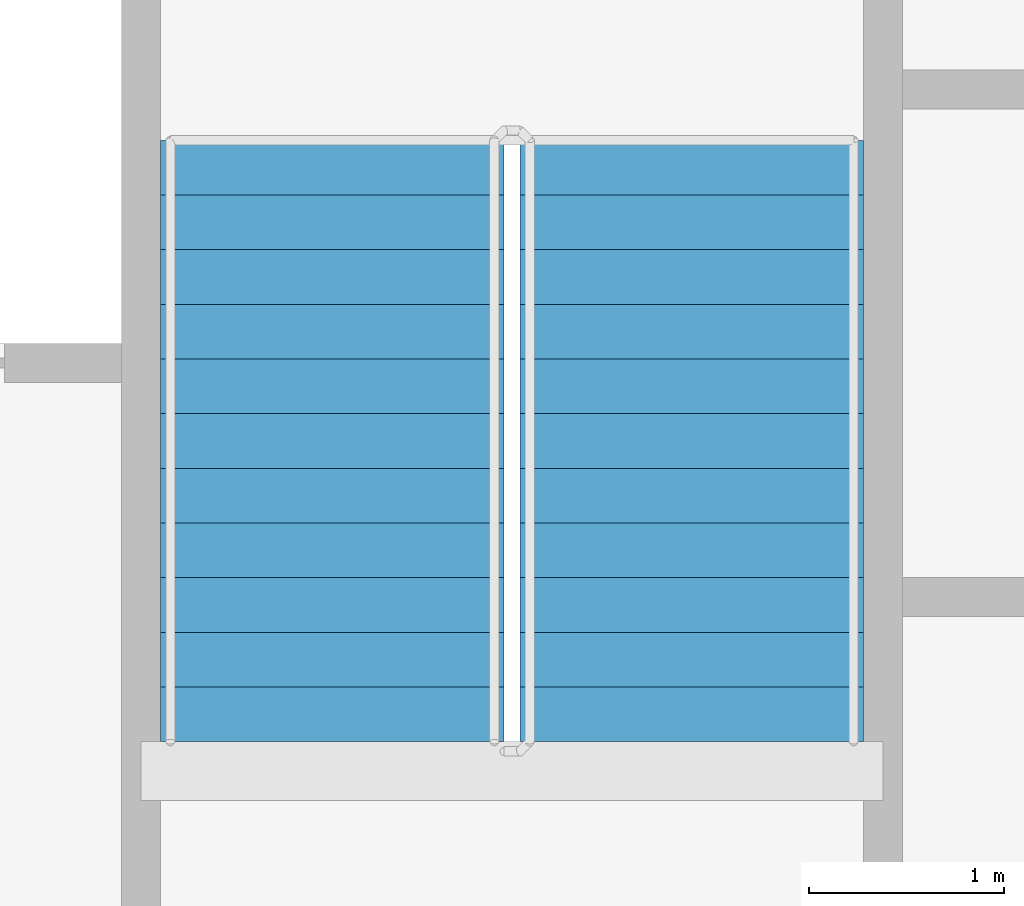
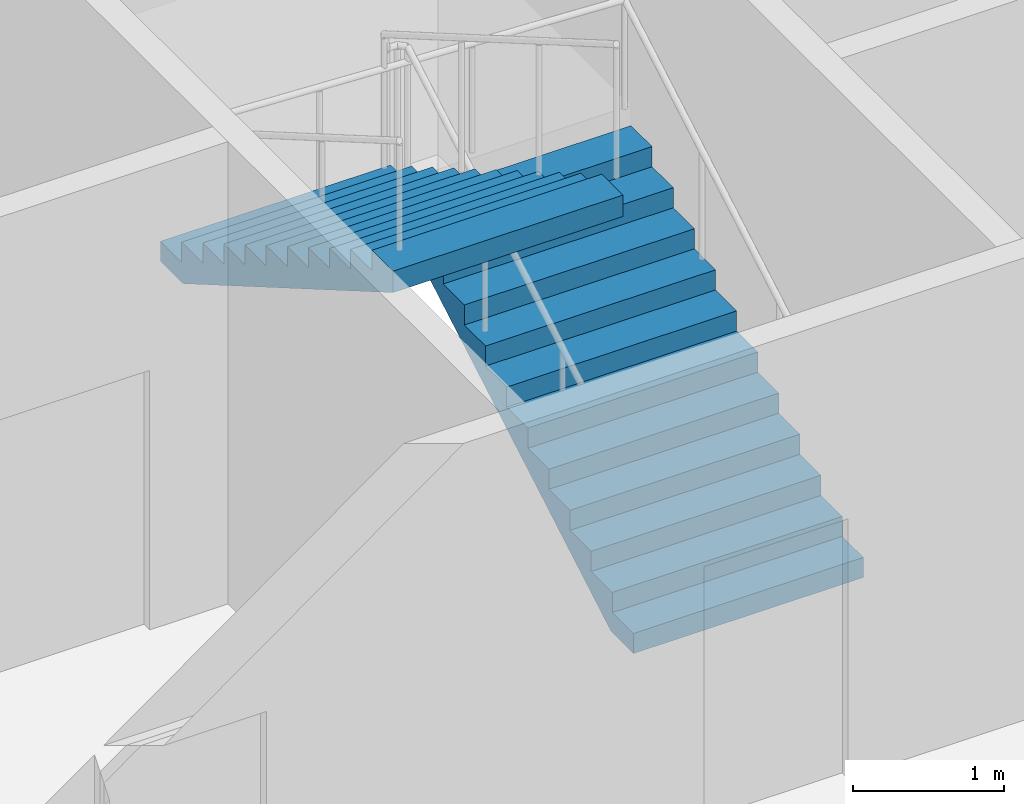
# One storey, part 19 of 24: 2 stair flights, 1 element without a shape of its own.
"""IFC4 building model written with IfcOpenShell, lengths in metres."""

from ifc_helpers import new_model, si_unit, direction, frame, origin, place, context, subcontext, project, spatial, faceted_brep, material, type_object, element, aggregate, save


model = new_model("IFC4")

# Units and contexts
model_context = context("Model", 3, precision=1e-05, world=origin(), true_north=direction((0.0, 1.0)))
body_context = subcontext(model_context, "Body", "Model", "MODEL_VIEW")
ifc_project = project(units=[si_unit("LENGTHUNIT", "METRE"), si_unit("AREAUNIT", "SQUARE_METRE"), si_unit("VOLUMEUNIT", "CUBIC_METRE"), si_unit("PLANEANGLEUNIT", "RADIAN"), si_unit("MASSUNIT", "GRAM", prefix="KILO")], contexts=[model_context])

# Site, building, storey
site_placement = place(None, origin())
site = spatial("IfcSite", under=ifc_project, at=site_placement, CompositionType="ELEMENT")
building_placement = place(site_placement, origin())
building = spatial("IfcBuilding", under=site, at=building_placement, Name="Tarsis Ring Headquarters", CompositionType="ELEMENT")
storey_placement = place(building_placement, frame((0.0, 0.0, 178.800048828125)))
storey = spatial("IfcBuildingStorey", under=building, at=storey_placement, Name="L41", CompositionType="ELEMENT", Elevation=178.800048828125)

# Stair, stair flights
ifc_material_1 = material(Name="Core stair 1760")
stair_type = type_object("IfcStairType", Name="Core stair 1760", PredefinedType="HALF_TURN_STAIR", material=ifc_material_1)
stair_placement = place(storey_placement, origin())
stair = element("IfcStair", 1, at=stair_placement, inside=storey, type_object=stair_type, Name="L41 Exit stair B", PredefinedType="HALF_TURN_STAIR")
ifc_material_2 = material(Name="Concrete C40/50", Category="concrete")
stair_flight_type = type_object("IfcStairFlightType", Name="Core stair flight 1760", PredefinedType="STRAIGHT", material=ifc_material_2)
stair_flight_1_placement = place(storey_placement, frame((5.419921875, 3.659912109375, 0.0), z_axis=(0.0, 0.0, 1.0), x_axis=(0.0, 1.0, 0.0)))
stair_flight_1 = element("IfcStairFlight", 2, at=stair_flight_1_placement, type_object=stair_flight_type, Name="Stair ST2 flight 1", NumberOfRisers=12, NumberOfTreads=11, PredefinedType="STRAIGHT", RiserHeight=0.1625, TreadLength=0.28, context=body_context, shape_type="Brep", body=[
    faceted_brep([(0.0, 0.8798828125, 0.0), (0.0, 0.8798828125, 0.16259765625), (0.280029296875, 0.8798828125, 0.16259765625), (0.280029296875, 0.8798828125, 0.324951171875), (0.56005859375, 0.8798828125, 0.324951171875), (0.56005859375, 0.8798828125, 0.487548828125), (0.840087890625, 0.8798828125, 0.487548828125), (0.840087890625, 0.8798828125, 0.64990234375), (1.1201171875, 0.8798828125, 0.64990234375), (1.1201171875, 0.8798828125, 0.8125), (1.39990234375, 0.8798828125, 0.8125), (1.39990234375, 0.8798828125, 0.97509765625), (1.679931640625, 0.8798828125, 0.97509765625), (1.679931640625, 0.8798828125, 1.137451171875), (1.9599609375, 0.8798828125, 1.137451171875), (1.9599609375, 0.8798828125, 1.300048828125), (2.239990234375, 0.8798828125, 1.300048828125), (2.239990234375, 0.8798828125, 1.46240234375), (2.52001953125, 0.8798828125, 1.46240234375), (2.52001953125, 0.8798828125, 1.625), (2.800048828125, 0.8798828125, 1.625), (2.800048828125, 0.8798828125, 1.78759765625), (3.080078125, 0.8798828125, 1.78759765625), (3.080078125, 0.8798828125, 1.6142578125), (0.298583984375, 0.8798828125, 0.0), (0.298583984375, -0.8798828125, 0.0), (3.080078125, -0.8798828125, 1.6142578125), (3.080078125, -0.8798828125, 1.78759765625), (2.800048828125, -0.8798828125, 1.78759765625), (2.800048828125, -0.8798828125, 1.625), (2.52001953125, -0.8798828125, 1.625), (2.52001953125, -0.8798828125, 1.46240234375), (2.239990234375, -0.8798828125, 1.46240234375), (2.239990234375, -0.8798828125, 1.300048828125), (1.9599609375, -0.8798828125, 1.300048828125), (1.9599609375, -0.8798828125, 1.137451171875), (1.679931640625, -0.8798828125, 1.137451171875), (1.679931640625, -0.8798828125, 0.97509765625), (1.39990234375, -0.8798828125, 0.97509765625), (1.39990234375, -0.8798828125, 0.8125), (1.1201171875, -0.8798828125, 0.8125), (1.1201171875, -0.8798828125, 0.64990234375), (0.840087890625, -0.8798828125, 0.64990234375), (0.840087890625, -0.8798828125, 0.487548828125), (0.56005859375, -0.8798828125, 0.487548828125), (0.56005859375, -0.8798828125, 0.324951171875), (0.280029296875, -0.8798828125, 0.324951171875), (0.280029296875, -0.8798828125, 0.16259765625), (0.0, -0.8798828125, 0.16259765625), (0.0, -0.8798828125, 0.0), (0.0, -0.43994140625, 0.16259765625), (0.0, -0.43994140625, 0.0), (0.0, 0.0, 0.16259765625), (0.0, 0.0, 0.0), (0.0, 0.43994140625, 0.16259765625), (0.0, 0.43994140625, 0.0), (0.280029296875, -0.43994140625, 0.16259765625), (0.280029296875, 0.0, 0.16259765625), (0.280029296875, 0.43994140625, 0.16259765625), (0.280029296875, -0.43994140625, 0.324951171875), (0.280029296875, 0.0, 0.324951171875), (0.280029296875, 0.43994140625, 0.324951171875), (0.56005859375, -0.43994140625, 0.324951171875), (0.56005859375, 0.0, 0.324951171875), (0.56005859375, 0.43994140625, 0.324951171875), (0.56005859375, -0.43994140625, 0.487548828125), (0.56005859375, 0.0, 0.487548828125), (0.56005859375, 0.43994140625, 0.487548828125), (0.840087890625, -0.43994140625, 0.487548828125), (0.840087890625, 0.0, 0.487548828125), (0.840087890625, 0.43994140625, 0.487548828125), (0.840087890625, -0.43994140625, 0.64990234375), (0.840087890625, 0.0, 0.64990234375), (0.840087890625, 0.43994140625, 0.64990234375), (1.1201171875, -0.43994140625, 0.64990234375), (1.1201171875, 0.0, 0.64990234375), (1.1201171875, 0.43994140625, 0.64990234375), (1.1201171875, -0.43994140625, 0.8125), (1.1201171875, 0.0, 0.8125), (1.1201171875, 0.43994140625, 0.8125), (1.39990234375, -0.43994140625, 0.8125), (1.39990234375, 0.0, 0.8125), (1.39990234375, 0.43994140625, 0.8125), (1.39990234375, -0.43994140625, 0.97509765625), (1.39990234375, 0.0, 0.97509765625), (1.39990234375, 0.43994140625, 0.97509765625), (1.679931640625, -0.43994140625, 0.97509765625), (1.679931640625, 0.0, 0.97509765625), (1.679931640625, 0.43994140625, 0.97509765625), (1.679931640625, -0.43994140625, 1.137451171875), (1.679931640625, 0.0, 1.137451171875), (1.679931640625, 0.43994140625, 1.137451171875), (1.9599609375, -0.43994140625, 1.137451171875), (1.9599609375, 0.0, 1.137451171875), (1.9599609375, 0.43994140625, 1.137451171875), (1.9599609375, -0.43994140625, 1.300048828125), (1.9599609375, 0.0, 1.300048828125), (1.9599609375, 0.43994140625, 1.300048828125), (2.239990234375, -0.43994140625, 1.300048828125), (2.239990234375, 0.0, 1.300048828125), (2.239990234375, 0.43994140625, 1.300048828125), (2.239990234375, -0.43994140625, 1.46240234375), (2.239990234375, 0.0, 1.46240234375), (2.239990234375, 0.43994140625, 1.46240234375), (2.52001953125, -0.43994140625, 1.46240234375), (2.52001953125, 0.0, 1.46240234375), (2.52001953125, 0.43994140625, 1.46240234375), (2.52001953125, -0.43994140625, 1.625), (2.52001953125, 0.0, 1.625), (2.52001953125, 0.43994140625, 1.625), (2.800048828125, -0.43994140625, 1.625), (2.800048828125, 0.0, 1.625), (2.800048828125, 0.43994140625, 1.625), (2.800048828125, -0.43994140625, 1.78759765625), (2.800048828125, 0.0, 1.78759765625), (2.800048828125, 0.43994140625, 1.78759765625), (3.080078125, -0.43994140625, 1.78759765625), (3.080078125, 0.0, 1.78759765625), (3.080078125, 0.43994140625, 1.78759765625), (3.080078125, -0.43994140625, 1.6142578125), (3.080078125, 0.0, 1.6142578125), (3.080078125, 0.43994140625, 1.6142578125), (0.298583984375, -0.43994140625, 0.0), (0.298583984375, 0.0, 0.0), (0.298583984375, 0.43994140625, 0.0)], [[[0, 1, 2, 3, 4, 5, 6, 7, 8, 9, 10, 11, 12, 13, 14, 15, 16, 17, 18, 19, 20, 21, 22, 23, 24]], [[25, 26, 27, 28, 29, 30, 31, 32, 33, 34, 35, 36, 37, 38, 39, 40, 41, 42, 43, 44, 45, 46, 47, 48, 49]], [[49, 48, 50, 51]], [[51, 50, 52, 53]], [[53, 52, 54, 55]], [[55, 54, 1, 0]], [[48, 47, 56, 50]], [[50, 56, 57, 52]], [[52, 57, 58, 54]], [[54, 58, 2, 1]], [[47, 46, 59, 56]], [[56, 59, 60, 57]], [[57, 60, 61, 58]], [[58, 61, 3, 2]], [[46, 45, 62, 59]], [[59, 62, 63, 60]], [[60, 63, 64, 61]], [[61, 64, 4, 3]], [[45, 44, 65, 62]], [[62, 65, 66, 63]], [[63, 66, 67, 64]], [[64, 67, 5, 4]], [[44, 43, 68, 65]], [[65, 68, 69, 66]], [[66, 69, 70, 67]], [[67, 70, 6, 5]], [[43, 42, 71, 68]], [[68, 71, 72, 69]], [[69, 72, 73, 70]], [[70, 73, 7, 6]], [[42, 41, 74, 71]], [[71, 74, 75, 72]], [[72, 75, 76, 73]], [[73, 76, 8, 7]], [[41, 40, 77, 74]], [[74, 77, 78, 75]], [[75, 78, 79, 76]], [[76, 79, 9, 8]], [[40, 39, 80, 77]], [[77, 80, 81, 78]], [[78, 81, 82, 79]], [[79, 82, 10, 9]], [[39, 38, 83, 80]], [[80, 83, 84, 81]], [[81, 84, 85, 82]], [[82, 85, 11, 10]], [[38, 37, 86, 83]], [[83, 86, 87, 84]], [[84, 87, 88, 85]], [[85, 88, 12, 11]], [[37, 36, 89, 86]], [[86, 89, 90, 87]], [[87, 90, 91, 88]], [[88, 91, 13, 12]], [[36, 35, 92, 89]], [[89, 92, 93, 90]], [[90, 93, 94, 91]], [[91, 94, 14, 13]], [[35, 34, 95, 92]], [[92, 95, 96, 93]], [[93, 96, 97, 94]], [[94, 97, 15, 14]], [[34, 33, 98, 95]], [[95, 98, 99, 96]], [[96, 99, 100, 97]], [[97, 100, 16, 15]], [[33, 32, 101, 98]], [[98, 101, 102, 99]], [[99, 102, 103, 100]], [[100, 103, 17, 16]], [[32, 31, 104, 101]], [[101, 104, 105, 102]], [[102, 105, 106, 103]], [[103, 106, 18, 17]], [[31, 30, 107, 104]], [[104, 107, 108, 105]], [[105, 108, 109, 106]], [[106, 109, 19, 18]], [[30, 29, 110, 107]], [[107, 110, 111, 108]], [[108, 111, 112, 109]], [[109, 112, 20, 19]], [[29, 28, 113, 110]], [[110, 113, 114, 111]], [[111, 114, 115, 112]], [[112, 115, 21, 20]], [[28, 27, 116, 113]], [[113, 116, 117, 114]], [[114, 117, 118, 115]], [[115, 118, 22, 21]], [[27, 26, 119, 116]], [[116, 119, 120, 117]], [[117, 120, 121, 118]], [[118, 121, 23, 22]], [[26, 25, 122, 119]], [[119, 122, 123, 120]], [[120, 123, 124, 121]], [[121, 124, 24, 23]], [[25, 49, 51, 122]], [[122, 51, 53, 123]], [[123, 53, 55, 124]], [[124, 55, 0, 24]]]),
])
stair_flight_2_placement = place(storey_placement, frame((3.580078125, 6.739990234375, 1.949951171875), z_axis=(0.0, 0.0, 1.0), x_axis=(0.0, -1.0, 0.0)))
stair_flight_2 = element("IfcStairFlight", 3, at=stair_flight_2_placement, type_object=stair_flight_type, Name="Stair ST2 flight 2", NumberOfRisers=12, NumberOfTreads=11, PredefinedType="STRAIGHT", RiserHeight=0.1625, TreadLength=0.28, context=body_context, shape_type="Brep", body=[
    faceted_brep([(0.0, 0.8798828125, 0.0), (0.0, 0.8798828125, 0.16259765625), (0.280029296875, 0.8798828125, 0.16259765625), (0.280029296875, 0.8798828125, 0.324951171875), (0.56005859375, 0.8798828125, 0.324951171875), (0.56005859375, 0.8798828125, 0.487548828125), (0.840087890625, 0.8798828125, 0.487548828125), (0.840087890625, 0.8798828125, 0.64990234375), (1.1201171875, 0.8798828125, 0.64990234375), (1.1201171875, 0.8798828125, 0.8125), (1.39990234375, 0.8798828125, 0.8125), (1.39990234375, 0.8798828125, 0.97509765625), (1.679931640625, 0.8798828125, 0.97509765625), (1.679931640625, 0.8798828125, 1.137451171875), (1.9599609375, 0.8798828125, 1.137451171875), (1.9599609375, 0.8798828125, 1.300048828125), (2.239990234375, 0.8798828125, 1.300048828125), (2.239990234375, 0.8798828125, 1.46240234375), (2.52001953125, 0.8798828125, 1.46240234375), (2.52001953125, 0.8798828125, 1.625), (2.800048828125, 0.8798828125, 1.625), (2.800048828125, 0.8798828125, 1.78759765625), (3.080078125, 0.8798828125, 1.78759765625), (3.080078125, 0.8798828125, 1.6142578125), (0.298583984375, 0.8798828125, 0.0), (0.298583984375, -0.8798828125, 0.0), (3.080078125, -0.8798828125, 1.6142578125), (3.080078125, -0.8798828125, 1.78759765625), (2.800048828125, -0.8798828125, 1.78759765625), (2.800048828125, -0.8798828125, 1.625), (2.52001953125, -0.8798828125, 1.625), (2.52001953125, -0.8798828125, 1.46240234375), (2.239990234375, -0.8798828125, 1.46240234375), (2.239990234375, -0.8798828125, 1.300048828125), (1.9599609375, -0.8798828125, 1.300048828125), (1.9599609375, -0.8798828125, 1.137451171875), (1.679931640625, -0.8798828125, 1.137451171875), (1.679931640625, -0.8798828125, 0.97509765625), (1.39990234375, -0.8798828125, 0.97509765625), (1.39990234375, -0.8798828125, 0.8125), (1.1201171875, -0.8798828125, 0.8125), (1.1201171875, -0.8798828125, 0.64990234375), (0.840087890625, -0.8798828125, 0.64990234375), (0.840087890625, -0.8798828125, 0.487548828125), (0.56005859375, -0.8798828125, 0.487548828125), (0.56005859375, -0.8798828125, 0.324951171875), (0.280029296875, -0.8798828125, 0.324951171875), (0.280029296875, -0.8798828125, 0.16259765625), (0.0, -0.8798828125, 0.16259765625), (0.0, -0.8798828125, 0.0), (0.0, -0.43994140625, 0.16259765625), (0.0, -0.43994140625, 0.0), (0.0, 0.0, 0.16259765625), (0.0, 0.0, 0.0), (0.0, 0.43994140625, 0.16259765625), (0.0, 0.43994140625, 0.0), (0.280029296875, -0.43994140625, 0.16259765625), (0.280029296875, 0.0, 0.16259765625), (0.280029296875, 0.43994140625, 0.16259765625), (0.280029296875, -0.43994140625, 0.324951171875), (0.280029296875, 0.0, 0.324951171875), (0.280029296875, 0.43994140625, 0.324951171875), (0.56005859375, -0.43994140625, 0.324951171875), (0.56005859375, 0.0, 0.324951171875), (0.56005859375, 0.43994140625, 0.324951171875), (0.56005859375, -0.43994140625, 0.487548828125), (0.56005859375, 0.0, 0.487548828125), (0.56005859375, 0.43994140625, 0.487548828125), (0.840087890625, -0.43994140625, 0.487548828125), (0.840087890625, 0.0, 0.487548828125), (0.840087890625, 0.43994140625, 0.487548828125), (0.840087890625, -0.43994140625, 0.64990234375), (0.840087890625, 0.0, 0.64990234375), (0.840087890625, 0.43994140625, 0.64990234375), (1.1201171875, -0.43994140625, 0.64990234375), (1.1201171875, 0.0, 0.64990234375), (1.1201171875, 0.43994140625, 0.64990234375), (1.1201171875, -0.43994140625, 0.8125), (1.1201171875, 0.0, 0.8125), (1.1201171875, 0.43994140625, 0.8125), (1.39990234375, -0.43994140625, 0.8125), (1.39990234375, 0.0, 0.8125), (1.39990234375, 0.43994140625, 0.8125), (1.39990234375, -0.43994140625, 0.97509765625), (1.39990234375, 0.0, 0.97509765625), (1.39990234375, 0.43994140625, 0.97509765625), (1.679931640625, -0.43994140625, 0.97509765625), (1.679931640625, 0.0, 0.97509765625), (1.679931640625, 0.43994140625, 0.97509765625), (1.679931640625, -0.43994140625, 1.137451171875), (1.679931640625, 0.0, 1.137451171875), (1.679931640625, 0.43994140625, 1.137451171875), (1.9599609375, -0.43994140625, 1.137451171875), (1.9599609375, 0.0, 1.137451171875), (1.9599609375, 0.43994140625, 1.137451171875), (1.9599609375, -0.43994140625, 1.300048828125), (1.9599609375, 0.0, 1.300048828125), (1.9599609375, 0.43994140625, 1.300048828125), (2.239990234375, -0.43994140625, 1.300048828125), (2.239990234375, 0.0, 1.300048828125), (2.239990234375, 0.43994140625, 1.300048828125), (2.239990234375, -0.43994140625, 1.46240234375), (2.239990234375, 0.0, 1.46240234375), (2.239990234375, 0.43994140625, 1.46240234375), (2.52001953125, -0.43994140625, 1.46240234375), (2.52001953125, 0.0, 1.46240234375), (2.52001953125, 0.43994140625, 1.46240234375), (2.52001953125, -0.43994140625, 1.625), (2.52001953125, 0.0, 1.625), (2.52001953125, 0.43994140625, 1.625), (2.800048828125, -0.43994140625, 1.625), (2.800048828125, 0.0, 1.625), (2.800048828125, 0.43994140625, 1.625), (2.800048828125, -0.43994140625, 1.78759765625), (2.800048828125, 0.0, 1.78759765625), (2.800048828125, 0.43994140625, 1.78759765625), (3.080078125, -0.43994140625, 1.78759765625), (3.080078125, 0.0, 1.78759765625), (3.080078125, 0.43994140625, 1.78759765625), (3.080078125, -0.43994140625, 1.6142578125), (3.080078125, 0.0, 1.6142578125), (3.080078125, 0.43994140625, 1.6142578125), (0.298583984375, -0.43994140625, 0.0), (0.298583984375, 0.0, 0.0), (0.298583984375, 0.43994140625, 0.0)], [[[0, 1, 2, 3, 4, 5, 6, 7, 8, 9, 10, 11, 12, 13, 14, 15, 16, 17, 18, 19, 20, 21, 22, 23, 24]], [[25, 26, 27, 28, 29, 30, 31, 32, 33, 34, 35, 36, 37, 38, 39, 40, 41, 42, 43, 44, 45, 46, 47, 48, 49]], [[49, 48, 50, 51]], [[51, 50, 52, 53]], [[53, 52, 54, 55]], [[55, 54, 1, 0]], [[48, 47, 56, 50]], [[50, 56, 57, 52]], [[52, 57, 58, 54]], [[54, 58, 2, 1]], [[47, 46, 59, 56]], [[56, 59, 60, 57]], [[57, 60, 61, 58]], [[58, 61, 3, 2]], [[46, 45, 62, 59]], [[59, 62, 63, 60]], [[60, 63, 64, 61]], [[61, 64, 4, 3]], [[45, 44, 65, 62]], [[62, 65, 66, 63]], [[63, 66, 67, 64]], [[64, 67, 5, 4]], [[44, 43, 68, 65]], [[65, 68, 69, 66]], [[66, 69, 70, 67]], [[67, 70, 6, 5]], [[43, 42, 71, 68]], [[68, 71, 72, 69]], [[69, 72, 73, 70]], [[70, 73, 7, 6]], [[42, 41, 74, 71]], [[71, 74, 75, 72]], [[72, 75, 76, 73]], [[73, 76, 8, 7]], [[41, 40, 77, 74]], [[74, 77, 78, 75]], [[75, 78, 79, 76]], [[76, 79, 9, 8]], [[40, 39, 80, 77]], [[77, 80, 81, 78]], [[78, 81, 82, 79]], [[79, 82, 10, 9]], [[39, 38, 83, 80]], [[80, 83, 84, 81]], [[81, 84, 85, 82]], [[82, 85, 11, 10]], [[38, 37, 86, 83]], [[83, 86, 87, 84]], [[84, 87, 88, 85]], [[85, 88, 12, 11]], [[37, 36, 89, 86]], [[86, 89, 90, 87]], [[87, 90, 91, 88]], [[88, 91, 13, 12]], [[36, 35, 92, 89]], [[89, 92, 93, 90]], [[90, 93, 94, 91]], [[91, 94, 14, 13]], [[35, 34, 95, 92]], [[92, 95, 96, 93]], [[93, 96, 97, 94]], [[94, 97, 15, 14]], [[34, 33, 98, 95]], [[95, 98, 99, 96]], [[96, 99, 100, 97]], [[97, 100, 16, 15]], [[33, 32, 101, 98]], [[98, 101, 102, 99]], [[99, 102, 103, 100]], [[100, 103, 17, 16]], [[32, 31, 104, 101]], [[101, 104, 105, 102]], [[102, 105, 106, 103]], [[103, 106, 18, 17]], [[31, 30, 107, 104]], [[104, 107, 108, 105]], [[105, 108, 109, 106]], [[106, 109, 19, 18]], [[30, 29, 110, 107]], [[107, 110, 111, 108]], [[108, 111, 112, 109]], [[109, 112, 20, 19]], [[29, 28, 113, 110]], [[110, 113, 114, 111]], [[111, 114, 115, 112]], [[112, 115, 21, 20]], [[28, 27, 116, 113]], [[113, 116, 117, 114]], [[114, 117, 118, 115]], [[115, 118, 22, 21]], [[27, 26, 119, 116]], [[116, 119, 120, 117]], [[117, 120, 121, 118]], [[118, 121, 23, 22]], [[26, 25, 122, 119]], [[119, 122, 123, 120]], [[120, 123, 124, 121]], [[121, 124, 24, 23]], [[25, 49, 51, 122]], [[122, 51, 53, 123]], [[123, 53, 55, 124]], [[124, 55, 0, 24]]]),
])
aggregate(stair, [stair_flight_1, stair_flight_2])

save(model, "model.ifc")
